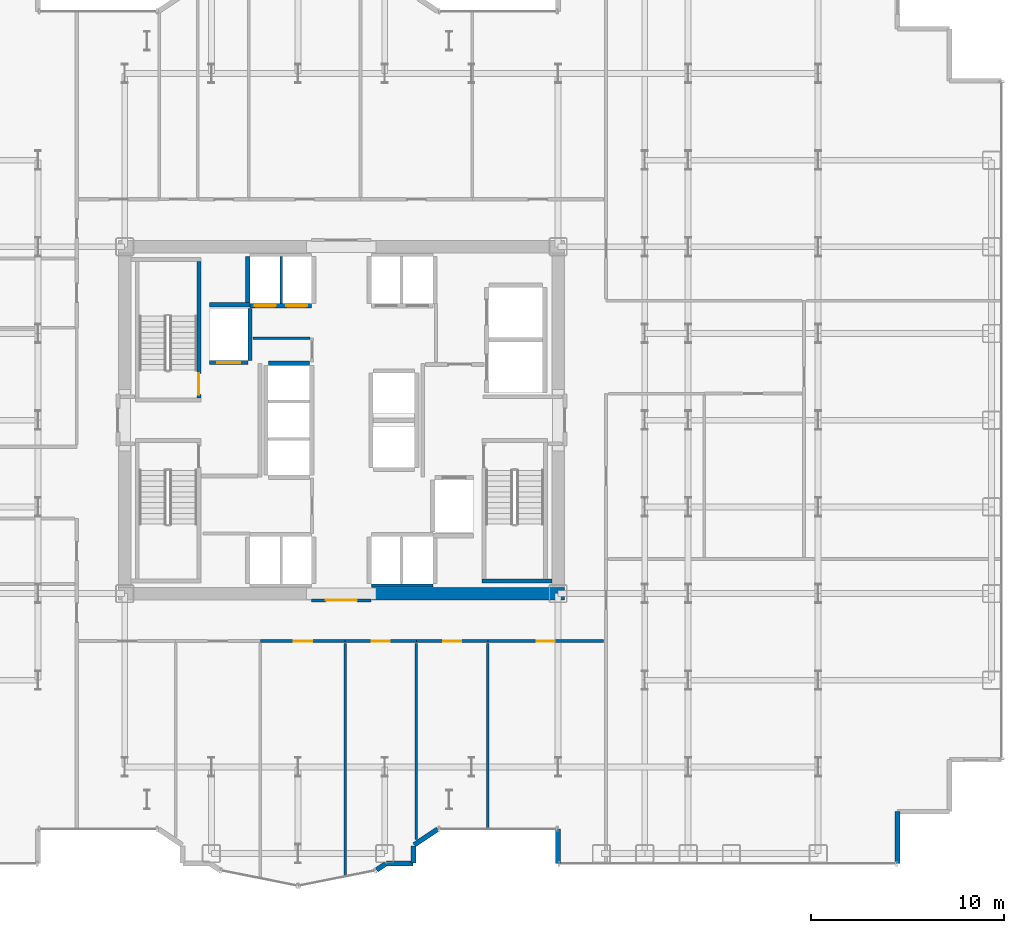
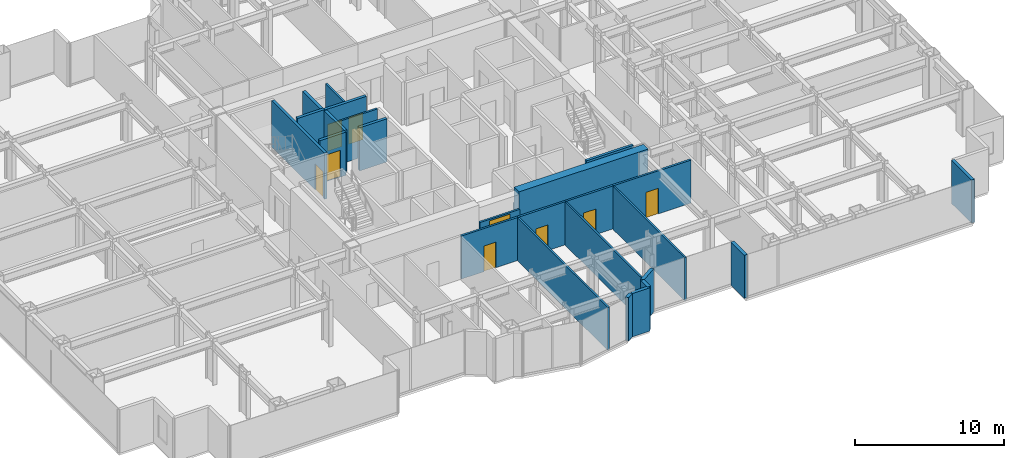
# One storey, part 21 of 25: 26 walls, 9 doors, 9 openings.
"""IFC4 building model written with IfcOpenShell, lengths in metres."""

from ifc_helpers import new_model, si_unit, direction, frame, frame_2d, origin, place, context, subcontext, project, spatial, rectangle, extrude, source, transform, mapped, material, layer, layer_set, type_object, element, fill, save


model = new_model("IFC4")

# Units and contexts
model_context = context("Model", 3, precision=1e-05, world=origin(), true_north=direction((0.0, 1.0)))
body_context = subcontext(model_context, "Body", "Model", "MODEL_VIEW")
ifc_project = project(units=[si_unit("LENGTHUNIT", "METRE"), si_unit("AREAUNIT", "SQUARE_METRE"), si_unit("VOLUMEUNIT", "CUBIC_METRE"), si_unit("PLANEANGLEUNIT", "RADIAN"), si_unit("MASSUNIT", "GRAM", prefix="KILO")], contexts=[model_context])

# Site, building, storey
site_placement = place(None, origin())
site = spatial("IfcSite", under=ifc_project, at=site_placement, CompositionType="ELEMENT")
building_placement = place(site_placement, origin())
building = spatial("IfcBuilding", under=site, at=building_placement, Name="Nefas-Gora Pilgrimage Tower", CompositionType="ELEMENT")
storey_placement = place(building_placement, frame((0.0, 0.0, 52.0)))
storey = spatial("IfcBuildingStorey", under=building, at=storey_placement, Name="L11", CompositionType="ELEMENT", Elevation=52.0)

# Walls
ifc_material_1 = material(Name="Concrete C60/75", Category="concrete")
ifc_layer_1 = layer(ifc_material_1, 0.64990234375)
ifc_layer_set_1 = layer_set([ifc_layer_1], Name="Concrete C60/75")
wall_type_1 = type_object("IfcWallType", Name="SW-CORE-650", PredefinedType="SHEAR", material=ifc_layer_set_1)
shared_shape_1 = source(origin(), body_context, "Body", "SweptSolid", [
    extrude(rectangle(XDim=10.02490234375, YDim=0.64990234375, at=frame_2d((5.012451171875, 0.0))), origin(), (0.0, 0.0, 1.0), 3.800048828125),
])
wall_1_placement = place(storey_placement, frame((1.550048828125, -9.0, 0.0), z_axis=(0.0, 0.0, 1.0), x_axis=(1.0, 0.0, 0.0)))
element("IfcWall", 1, at=wall_1_placement, inside=storey, type_object=wall_type_1, Name="L11 Core Shear Wall S-East", PredefinedType="SHEAR", context=body_context, shape_type="MappedRepresentation", body=[
    mapped(shared_shape_1, transform((0.0, 0.0, 0.0), x_axis=(1.0, 0.0, 0.0), y_axis=(0.0, 1.0, 0.0), z_axis=(0.0, 0.0, 1.0), scale=1.0)),
])
ifc_material_2 = material(Name="Precast concrete C40/50", Category="concrete")
ifc_layer_2 = layer(ifc_material_2, 0.260009765625)
ifc_layer_set_2 = layer_set([ifc_layer_2], Name="Precast concrete C40/50")
wall_type_2 = type_object("IfcWallType", Name="EW-PORTAL-260", PredefinedType="SOLIDWALL", material=ifc_layer_set_2)
shared_shape_2 = source(origin(), body_context, "Body", "SweptSolid", [
    extrude(rectangle(XDim=1.800048828125, YDim=0.260009765625, at=frame_2d((0.89990234375, 0.0))), origin(), (0.0, 0.0, 1.0), 3.550048828125),
])
wall_2_placement = place(storey_placement, frame((11.25, -21.219970703125, 0.0), z_axis=(0.0, 0.0, 1.0), x_axis=(0.0, -1.0, 0.0)))
element("IfcWall", 2, at=wall_2_placement, inside=storey, type_object=wall_type_2, Name="L11 Lobe Shoulder Precast Spandrel Pier 1", PredefinedType="SOLIDWALL", context=body_context, shape_type="MappedRepresentation", body=[
    mapped(shared_shape_2, transform((0.0, 0.0, 0.0), x_axis=(1.0, 0.0, 0.0), y_axis=(0.0, 1.0, 0.0), z_axis=(0.0, 0.0, 1.0), scale=1.0)),
])
ifc_material_3 = material(Name="Precast concrete C45/55", Category="concrete")
ifc_layer_3 = layer(ifc_material_3, 0.239990234375)
ifc_layer_set_3 = layer_set([ifc_layer_3], Name="Precast concrete C45/55")
wall_type_3 = type_object("IfcWallType", Name="EW-SERR-240", PredefinedType="SHEAR", material=ifc_layer_set_3)
shared_shape_3 = source(origin(), body_context, "Body", "SweptSolid", [
    extrude(rectangle(XDim=2.699951171875, YDim=0.239990234375, at=frame_2d((1.35009765625, 0.0))), origin(), (0.0, 0.0, 1.0), 3.550048828125),
])
wall_3_placement = place(storey_placement, frame((28.8701171875, -23.02001953125, 0.0), z_axis=(0.0, 0.0, 1.0), x_axis=(0.0, 1.0, 0.0)))
element("IfcWall", 3, at=wall_3_placement, inside=storey, type_object=wall_type_3, Name="L11 Serrated Corner Shear Pier Wall 2", PredefinedType="SHEAR", context=body_context, shape_type="MappedRepresentation", body=[
    mapped(shared_shape_3, transform((0.0, 0.0, 0.0), x_axis=(1.0, 0.0, 0.0), y_axis=(0.0, 1.0, 0.0), z_axis=(0.0, 0.0, 1.0), scale=1.0)),
])
shared_shape_4 = source(origin(), body_context, "Body", "SweptSolid", [
    extrude(rectangle(XDim=1.468994140625, YDim=0.260009765625, at=frame_2d((0.734375, 0.0))), origin(), (0.0, 0.0, 1.0), 3.550048828125),
])
wall_4_placement = place(storey_placement, frame((3.773193359375, -22.0517578125, 0.0), z_axis=(0.0, 0.0, 1.0), x_axis=(0.831461760506, 0.555581983884, 0.0)))
element("IfcWall", 4, at=wall_4_placement, inside=storey, type_object=wall_type_2, Name="L11 Lobe Shoulder Precast Spandrel Pier 36", PredefinedType="SOLIDWALL", context=body_context, shape_type="MappedRepresentation", body=[
    mapped(shared_shape_4, transform((0.0, 0.0, 0.0), x_axis=(1.0, 0.0, 0.0), y_axis=(0.0, 1.0, 0.0), z_axis=(0.0, 0.0, 1.0), scale=1.0)),
])
shared_shape_5 = source(origin(), body_context, "Body", "SweptSolid", [
    extrude(rectangle(XDim=0.896728515625, YDim=0.260009765625, at=frame_2d((0.4482421875, 0.0))), origin(), (0.0, 0.0, 1.0), 3.550048828125),
])
wall_5_placement = place(storey_placement, frame((3.75, -22.991943359375, 0.0), z_axis=(0.0, 0.0, 1.0), x_axis=(0.0, 1.0, 0.0)))
element("IfcWall", 5, at=wall_5_placement, inside=storey, type_object=wall_type_2, Name="L11 Lobe Shoulder Precast Spandrel Pier 35", PredefinedType="SOLIDWALL", context=body_context, shape_type="MappedRepresentation", body=[
    mapped(shared_shape_5, transform((0.0, 0.0, 0.0), x_axis=(1.0, 0.0, 0.0), y_axis=(0.0, 1.0, 0.0), z_axis=(0.0, 0.0, 1.0), scale=1.0)),
])
shared_shape_6 = source(origin(), body_context, "Body", "SweptSolid", [
    extrude(rectangle(XDim=1.369873046875, YDim=0.260009765625, at=frame_2d((0.68505859375, 0.0))), origin(), (0.0, 0.0, 1.0), 3.550048828125),
])
wall_6_placement = place(storey_placement, frame((2.35205078125, -23.02001953125, 0.0), z_axis=(0.0, 0.0, 1.0), x_axis=(1.0, 0.0, 0.0)))
element("IfcWall", 6, at=wall_6_placement, inside=storey, type_object=wall_type_2, Name="L11 Lobe Shoulder Precast Spandrel Pier 34", PredefinedType="SOLIDWALL", context=body_context, shape_type="MappedRepresentation", body=[
    mapped(shared_shape_6, transform((0.0, 0.0, 0.0), x_axis=(1.0, 0.0, 0.0), y_axis=(0.0, 1.0, 0.0), z_axis=(0.0, 0.0, 1.0), scale=1.0)),
])
shared_shape_7 = source(origin(), body_context, "Body", "SweptSolid", [
    extrude(rectangle(XDim=0.5654296875, YDim=0.260009765625, at=frame_2d((0.28271484375, 0.0))), origin(), (0.0, 0.0, 1.0), 3.550048828125),
])
wall_7_placement = place(storey_placement, frame((1.83056640625, -23.349609375, 0.0), z_axis=(0.0, 0.0, 1.0), x_axis=(0.831651492666, 0.555297933317, 0.0)))
element("IfcWall", 7, at=wall_7_placement, inside=storey, type_object=wall_type_2, Name="L11 Lobe Shoulder Precast Spandrel Pier 33", PredefinedType="SOLIDWALL", context=body_context, shape_type="MappedRepresentation", body=[
    mapped(shared_shape_7, transform((0.0, 0.0, 0.0), x_axis=(1.0, 0.0, 0.0), y_axis=(0.0, 1.0, 0.0), z_axis=(0.0, 0.0, 1.0), scale=1.0)),
])
ifc_material_4 = material(Name="Concrete C45/55", Category="concrete")
ifc_layer_4 = layer(ifc_material_4, 0.199951171875)
ifc_layer_set_4 = layer_set([ifc_layer_4], Name="Concrete C45/55")
wall_type_4 = type_object("IfcWallType", Name="IW-STAIR-200", PredefinedType="SOLIDWALL", material=ifc_layer_set_4)
shared_shape_8 = source(origin(), body_context, "Body", "SweptSolid", [
    extrude(rectangle(XDim=3.6298828125, YDim=0.199951171875, at=frame_2d((1.81494140625, 0.0))), origin(), (0.0, 0.0, 1.0), 3.800048828125),
])
wall_8_placement = place(storey_placement, frame((7.300048828125, -8.35009765625, 0.0), z_axis=(0.0, 0.0, 1.0), x_axis=(1.0, 0.0, 0.0)))
element("IfcWall", 8, at=wall_8_placement, inside=storey, type_object=wall_type_4, Name="L11 Stairwell Shear Wall ST-02-far", PredefinedType="SOLIDWALL", context=body_context, shape_type="MappedRepresentation", body=[
    mapped(shared_shape_8, transform((0.0, 0.0, 0.0), x_axis=(1.0, 0.0, 0.0), y_axis=(0.0, 1.0, 0.0), z_axis=(0.0, 0.0, 1.0), scale=1.0)),
])

# Wall, opening, door
shared_shape_9 = source(origin(), body_context, "Body", "SweptSolid", [
    extrude(rectangle(XDim=7.10009765625, YDim=0.199951171875, at=frame_2d((3.550048828125, 0.0))), origin(), (0.0, 0.0, 1.0), 3.800048828125),
])
wall_9_placement = place(storey_placement, frame((-7.39990234375, 1.14990234375, 0.0), z_axis=(0.0, 0.0, 1.0), x_axis=(0.0, 1.0, 0.0)))
wall_9 = element("IfcWall", 9, at=wall_9_placement, inside=storey, type_object=wall_type_4, Name="L11 Stairwell Shear Wall ST-01-left", PredefinedType="SOLIDWALL", context=body_context, shape_type="MappedRepresentation", body=[
    mapped(shared_shape_9, transform((0.0, 0.0, 0.0), x_axis=(1.0, 0.0, 0.0), y_axis=(0.0, 1.0, 0.0), z_axis=(0.0, 0.0, 1.0), scale=1.0)),
])
opening_1_placement = place(wall_9_placement, frame((0.179931640625, 0.0, 0.0)))
opening_1 = element("IfcOpeningElement", 10, at=opening_1_placement, cuts=wall_9, Name="Opening ID-ST1", PredefinedType="OPENING", context=body_context, shape_type="SweptSolid", body=[
    extrude(rectangle(XDim=1.10009765625, YDim=2.14990234375, at=frame_2d((0.550048828125, 1.074951171875))), frame((0.0, 0.10986328125, 0.0), z_axis=(0.0, -1.0, 0.0), x_axis=(1.0, 0.0, 0.0)), (0.0, 0.0, 1.0), 0.219970703125),
])
ifc_material_5 = material(Name="Painted galvanised steel fire stair door", Category="steel")
door_type_1 = type_object("IfcDoorType", Name="DR-INT-STAIR-1100", OperationType="NOTDEFINED", PredefinedType="DOOR", material=ifc_material_5)
shared_shape_10 = source(origin(), body_context, "Body", "SweptSolid", [
    extrude(rectangle(XDim=1.10009765625, YDim=2.14990234375, at=frame_2d((0.550048828125, 1.074951171875))), frame((0.0, 0.02490234375, 0.0), z_axis=(0.0, -1.0, 0.0), x_axis=(1.0, 0.0, 0.0)), (0.0, 0.0, 1.0), 0.050048828125),
])
door_1_placement = place(opening_1_placement, origin())
door_1 = element("IfcDoor", 11, at=door_1_placement, inside=storey, type_object=door_type_1, Name="L11 Protected Exit Stair Door ST-01", OperationType="SINGLE_SWING_LEFT", OverallHeight=2.14990234375, OverallWidth=1.10009765625, PredefinedType="DOOR", context=body_context, shape_type="MappedRepresentation", body=[
    mapped(shared_shape_10, transform((0.0, 0.0, 0.0), x_axis=(1.0, 0.0, 0.0), y_axis=(0.0, 1.0, 0.0), z_axis=(0.0, 0.0, 1.0), scale=1.0)),
])
fill(opening_1, door_1)

ifc_material_6 = material(Name="Concrete C40/50", Category="concrete")
ifc_layer_5 = layer(ifc_material_6, 0.219970703125)
ifc_layer_set_5 = layer_set([ifc_layer_5], Name="Concrete C40/50")
wall_type_5 = type_object("IfcWallType", Name="IW-SHAFT-220", PredefinedType="SOLIDWALL", material=ifc_layer_set_5)
shared_shape_11 = source(origin(), body_context, "Body", "SweptSolid", [
    extrude(rectangle(XDim=2.0, YDim=0.219970703125, at=frame_2d((1.0, 0.0))), origin(), (0.0, 0.0, 1.0), 3.534912109375),
])
wall_10_placement = place(storey_placement, frame((-6.85009765625, 2.989990234375, 0.0), z_axis=(0.0, 0.0, 1.0), x_axis=(1.0, 0.0, 0.0)))
wall_10 = element("IfcWall", 12, at=wall_10_placement, inside=storey, type_object=wall_type_5, Name="L11 Hoistway Wall FFL-01-S", PredefinedType="SOLIDWALL", context=body_context, shape_type="MappedRepresentation", body=[
    mapped(shared_shape_11, transform((0.0, 0.0, 0.0), x_axis=(1.0, 0.0, 0.0), y_axis=(0.0, 1.0, 0.0), z_axis=(0.0, 0.0, 1.0), scale=1.0)),
])
opening_2_placement = place(wall_10_placement, frame((0.39990234375, 0.0, 0.0)))
opening_2 = element("IfcOpeningElement", 13, at=opening_2_placement, cuts=wall_10, Name="Opening LD-FF", PredefinedType="OPENING", context=body_context, shape_type="SweptSolid", body=[
    extrude(rectangle(XDim=1.199951171875, YDim=2.199951171875, at=frame_2d((0.60009765625, 1.10009765625))), frame((0.0, 0.119873046875, 0.0), z_axis=(0.0, -1.0, 0.0), x_axis=(1.0, 0.0, 0.0)), (0.0, 0.0, 1.0), 0.239990234375),
])
ifc_material_7 = material(Name="Fire-service sliding lift landing door")
door_type_2 = type_object("IfcDoorType", Name="DR-LIFT-FSAE-1200", OperationType="SLIDING_TO_LEFT", PredefinedType="DOOR", material=ifc_material_7)
shared_shape_12 = source(origin(), body_context, "Body", "SweptSolid", [
    extrude(rectangle(XDim=1.199951171875, YDim=2.199951171875, at=frame_2d((0.60009765625, 1.10009765625))), frame((0.0, 0.02490234375, 0.0), z_axis=(0.0, -1.0, 0.0), x_axis=(1.0, 0.0, 0.0)), (0.0, 0.0, 1.0), 0.050048828125),
])
door_2_placement = place(opening_2_placement, origin())
door_2 = element("IfcDoor", 14, at=door_2_placement, inside=storey, type_object=door_type_2, Name="L11 Sliding Lift Landing Door FFL-01", OperationType="SLIDING_TO_LEFT", OverallHeight=2.199951171875, OverallWidth=1.199951171875, PredefinedType="DOOR", context=body_context, shape_type="MappedRepresentation", body=[
    mapped(shared_shape_12, transform((0.0, 0.0, 0.0), x_axis=(1.0, 0.0, 0.0), y_axis=(0.0, 1.0, 0.0), z_axis=(0.0, 0.0, 1.0), scale=1.0)),
])
fill(opening_2, door_2)

# Wall
shared_shape_13 = source(origin(), body_context, "Body", "SweptSolid", [
    extrude(rectangle(XDim=2.679931640625, YDim=0.219970703125, at=frame_2d((1.33984375, 0.0))), origin(), (0.0, 0.0, 1.0), 3.534912109375),
])
wall_11_placement = place(storey_placement, frame((-4.739990234375, 3.110107421875, 0.0), z_axis=(0.0, 0.0, 1.0), x_axis=(0.0, 1.0, 0.0)))
element("IfcWall", 15, at=wall_11_placement, inside=storey, type_object=wall_type_5, Name="L11 Hoistway Wall FFL-01-E", PredefinedType="SOLIDWALL", context=body_context, shape_type="MappedRepresentation", body=[
    mapped(shared_shape_13, transform((0.0, 0.0, 0.0), x_axis=(1.0, 0.0, 0.0), y_axis=(0.0, 1.0, 0.0), z_axis=(0.0, 0.0, 1.0), scale=1.0)),
])

# Wall, openings, doors
shared_shape_14 = source(origin(), body_context, "Body", "SweptSolid", [
    extrude(rectangle(XDim=3.199951171875, YDim=0.219970703125, at=frame_2d((1.60009765625, 0.0))), origin(), (0.0, 0.0, 1.0), 3.534912109375),
])
wall_12_placement = place(storey_placement, frame((-4.75, 5.93994140625, 0.0), z_axis=(0.0, 0.0, 1.0), x_axis=(1.0, 0.0, 0.0)))
wall_12 = element("IfcWall", 16, at=wall_12_placement, inside=storey, type_object=wall_type_5, Name="L11 Hoistway Wall PL1-W-S", PredefinedType="SOLIDWALL", context=body_context, shape_type="MappedRepresentation", body=[
    mapped(shared_shape_14, transform((0.0, 0.0, 0.0), x_axis=(1.0, 0.0, 0.0), y_axis=(0.0, 1.0, 0.0), z_axis=(0.0, 0.0, 1.0), scale=1.0)),
])
opening_3_placement = place(wall_12_placement, frame((0.25, 0.0, 0.0)))
opening_3 = element("IfcOpeningElement", 17, at=opening_3_placement, cuts=wall_12, Name="Opening LD-01", PredefinedType="OPENING", context=body_context, shape_type="SweptSolid", body=[
    extrude(rectangle(XDim=1.10009765625, YDim=2.199951171875, at=frame_2d((0.550048828125, 1.10009765625))), frame((0.0, 0.119873046875, 0.0), z_axis=(0.0, -1.0, 0.0), x_axis=(1.0, 0.0, 0.0)), (0.0, 0.0, 1.0), 0.239990234375),
])
opening_4_placement = place(wall_12_placement, frame((1.875, 0.0, 0.0)))
opening_4 = element("IfcOpeningElement", 18, at=opening_4_placement, cuts=wall_12, Name="Opening LD-01", PredefinedType="OPENING", context=body_context, shape_type="SweptSolid", body=[
    extrude(rectangle(XDim=1.10009765625, YDim=2.199951171875, at=frame_2d((0.550048828125, 1.10009765625))), frame((0.0, 0.119873046875, 0.0), z_axis=(0.0, -1.0, 0.0), x_axis=(1.0, 0.0, 0.0)), (0.0, 0.0, 1.0), 0.239990234375),
])
ifc_material_8 = material(Name="Brushed stainless sliding lift landing door")
door_type_3 = type_object("IfcDoorType", Name="DR-LIFT-PASS-1100", OperationType="DOUBLE_DOOR_SLIDING", PredefinedType="DOOR", material=ifc_material_8)
shared_shape_15 = source(origin(), body_context, "Body", "SweptSolid", [
    extrude(rectangle(XDim=1.10009765625, YDim=2.199951171875, at=frame_2d((0.550048828125, 1.10009765625))), frame((0.0, 0.02490234375, 0.0), z_axis=(0.0, -1.0, 0.0), x_axis=(1.0, 0.0, 0.0)), (0.0, 0.0, 1.0), 0.050048828125),
])
door_3_placement = place(opening_3_placement, origin())
door_3 = element("IfcDoor", 19, at=door_3_placement, inside=storey, type_object=door_type_3, Name="L11 Sliding Lift Landing Door PL1-01", OperationType="DOUBLE_DOOR_SLIDING", OverallHeight=2.199951171875, OverallWidth=1.10009765625, PredefinedType="DOOR", context=body_context, shape_type="MappedRepresentation", body=[
    mapped(shared_shape_15, transform((0.0, 0.0, 0.0), x_axis=(1.0, 0.0, 0.0), y_axis=(0.0, 1.0, 0.0), z_axis=(0.0, 0.0, 1.0), scale=1.0)),
])
fill(opening_3, door_3)
door_4_placement = place(opening_4_placement, origin())
door_4 = element("IfcDoor", 20, at=door_4_placement, inside=storey, type_object=door_type_3, Name="L11 Sliding Lift Landing Door PL1-02", OperationType="DOUBLE_DOOR_SLIDING", OverallHeight=2.199951171875, OverallWidth=1.10009765625, PredefinedType="DOOR", context=body_context, shape_type="MappedRepresentation", body=[
    mapped(shared_shape_15, transform((0.0, 0.0, 0.0), x_axis=(1.0, 0.0, 0.0), y_axis=(0.0, 1.0, 0.0), z_axis=(0.0, 0.0, 1.0), scale=1.0)),
])
fill(opening_4, door_4)

# Walls
ifc_material_9 = material(Name="Gypsum acoustic stud partition")
ifc_layer_6 = layer(ifc_material_9, 0.159912109375)
ifc_layer_set_6 = layer_set([ifc_layer_6], Name="Gypsum acoustic stud partition")
wall_type_6 = type_object("IfcWallType", Name="IW-CORR-160", PredefinedType="PARTITIONING", material=ifc_layer_set_6)
shared_shape_16 = source(origin(), body_context, "Body", "SweptSolid", [
    extrude(rectangle(XDim=3.199951171875, YDim=0.159912109375, at=frame_2d((1.60009765625, 0.0))), origin(), (0.0, 0.0, 1.0), 2.425048828125),
])
wall_13_placement = place(storey_placement, frame((1.550048828125, -8.580078125, 0.0), z_axis=(0.0, 0.0, 1.0), x_axis=(1.0, 0.0, 0.0)))
element("IfcWall", 21, at=wall_13_placement, inside=storey, type_object=wall_type_6, Name="L11 Hoistway Wall PL2-E-S", PredefinedType="PARTITIONING", context=body_context, shape_type="MappedRepresentation", body=[
    mapped(shared_shape_16, transform((0.0, 0.0, 0.0), x_axis=(1.0, 0.0, 0.0), y_axis=(0.0, 1.0, 0.0), z_axis=(0.0, 0.0, 1.0), scale=1.0)),
])
shared_shape_17 = source(origin(), body_context, "Body", "SweptSolid", [
    extrude(rectangle(XDim=2.429931640625, YDim=0.219970703125, at=frame_2d((1.21484375, 0.0))), origin(), (0.0, 0.0, 1.0), 3.534912109375),
])
wall_14_placement = place(storey_placement, frame((-4.860107421875, 8.489990234375, 0.0), z_axis=(0.0, 0.0, 1.0), x_axis=(0.0, -1.0, 0.0)))
element("IfcWall", 22, at=wall_14_placement, inside=storey, type_object=wall_type_5, Name="L11 Hoistway Wall PL1-W-W", PredefinedType="SOLIDWALL", context=body_context, shape_type="MappedRepresentation", body=[
    mapped(shared_shape_17, transform((0.0, 0.0, 0.0), x_axis=(1.0, 0.0, 0.0), y_axis=(0.0, 1.0, 0.0), z_axis=(0.0, 0.0, 1.0), scale=1.0)),
])
ifc_material_10 = material(Name="Gypsum twin-stud partition")
ifc_layer_7 = layer(ifc_material_10, 0.139892578125)
ifc_layer_set_7 = layer_set([ifc_layer_7], Name="Gypsum twin-stud partition")
wall_type_7 = type_object("IfcWallType", Name="IW-UNIT-140", PredefinedType="PARTITIONING", material=ifc_layer_set_7)
shared_shape_18 = source(origin(), body_context, "Body", "SweptSolid", [
    extrude(rectangle(XDim=2.429931640625, YDim=0.139892578125, at=frame_2d((1.21484375, 0.0))), origin(), (0.0, 0.0, 1.0), 3.534912109375),
])
wall_15_placement = place(storey_placement, frame((-3.125, 6.06005859375, 0.0), z_axis=(0.0, 0.0, 1.0), x_axis=(0.0, 1.0, 0.0)))
element("IfcWall", 23, at=wall_15_placement, inside=storey, type_object=wall_type_7, Name="L11 Hoistway Wall PL1-W-DIV", PredefinedType="PARTITIONING", context=body_context, shape_type="MappedRepresentation", body=[
    mapped(shared_shape_18, transform((0.0, 0.0, 0.0), x_axis=(1.0, 0.0, 0.0), y_axis=(0.0, 1.0, 0.0), z_axis=(0.0, 0.0, 1.0), scale=1.0)),
])
shared_shape_19 = source(origin(), body_context, "Body", "SweptSolid", [
    extrude(rectangle(XDim=2.130126953125, YDim=0.219970703125, at=frame_2d((1.06494140625, 0.0))), origin(), (0.0, 0.0, 1.0), 3.534912109375),
])
wall_16_placement = place(storey_placement, frame((-1.659912109375, 2.9599609375, 0.0), z_axis=(0.0, 0.0, 1.0), x_axis=(-1.0, 0.0, 0.0)))
element("IfcWall", 24, at=wall_16_placement, inside=storey, type_object=wall_type_5, Name="L11 Hoistway Wall PL3-03-N", PredefinedType="SOLIDWALL", context=body_context, shape_type="MappedRepresentation", body=[
    mapped(shared_shape_19, transform((0.0, 0.0, 0.0), x_axis=(1.0, 0.0, 0.0), y_axis=(0.0, 1.0, 0.0), z_axis=(0.0, 0.0, 1.0), scale=1.0)),
])
shared_shape_20 = source(origin(), body_context, "Body", "SweptSolid", [
    extrude(rectangle(XDim=2.09521484375, YDim=0.219970703125, at=frame_2d((1.047607421875, 0.0))), origin(), (0.0, 0.0, 1.0), 3.534912109375),
])
wall_17_placement = place(storey_placement, frame((-6.85009765625, 6.0, 0.0), z_axis=(0.0, 0.0, 1.0), x_axis=(1.0, 0.0, 0.0)))
element("IfcWall", 25, at=wall_17_placement, inside=storey, type_object=wall_type_5, Name="L11 Riser Shaft Wall 1", PredefinedType="SOLIDWALL", context=body_context, shape_type="MappedRepresentation", body=[
    mapped(shared_shape_20, transform((0.0, 0.0, 0.0), x_axis=(1.0, 0.0, 0.0), y_axis=(0.0, 1.0, 0.0), z_axis=(0.0, 0.0, 1.0), scale=1.0)),
])

# Wall, opening, door
shared_shape_21 = source(origin(), body_context, "Body", "SweptSolid", [
    extrude(rectangle(XDim=3.08984375, YDim=0.159912109375, at=frame_2d((1.544921875, 0.0))), origin(), (0.0, 0.0, 1.0), 2.425048828125),
])
wall_18_placement = place(storey_placement, frame((-1.544921875, -9.35009765625, 0.0), z_axis=(0.0, 0.0, 1.0), x_axis=(1.0, 0.0, 0.0)))
wall_18 = element("IfcWall", 26, at=wall_18_placement, inside=storey, type_object=wall_type_6, Name="L11 Central Lift Lobby South Portal Wall 14", PredefinedType="PARTITIONING", context=body_context, shape_type="MappedRepresentation", body=[
    mapped(shared_shape_21, transform((0.0, 0.0, 0.0), x_axis=(1.0, 0.0, 0.0), y_axis=(0.0, 1.0, 0.0), z_axis=(0.0, 0.0, 1.0), scale=1.0)),
])
opening_5_placement = place(wall_18_placement, frame((0.7451171875, 0.0, 0.0)))
opening_5 = element("IfcOpeningElement", 27, at=opening_5_placement, cuts=wall_18, Name="Opening ID-HL1", PredefinedType="OPENING", context=body_context, shape_type="SweptSolid", body=[
    extrude(rectangle(XDim=1.60009765625, YDim=2.300048828125, at=frame_2d((0.800048828125, 1.14990234375))), frame((0.0, 0.08984375, 0.0), z_axis=(0.0, -1.0, 0.0), x_axis=(1.0, 0.0, 0.0)), (0.0, 0.0, 1.0), 0.179931640625),
])
ifc_material_11 = material(Name="Double acoustic timber assembly hall door", Category="wood")
door_type_4 = type_object("IfcDoorType", Name="DR-INT-HALL-1600", OperationType="DOUBLE_DOOR_SINGLE_SWING", PredefinedType="DOOR", material=ifc_material_11)
shared_shape_22 = source(origin(), body_context, "Body", "SweptSolid", [
    extrude(rectangle(XDim=1.60009765625, YDim=2.300048828125, at=frame_2d((0.800048828125, 1.14990234375))), frame((0.0, 0.02490234375, 0.0), z_axis=(0.0, -1.0, 0.0), x_axis=(1.0, 0.0, 0.0)), (0.0, 0.0, 1.0), 0.050048828125),
])
door_5_placement = place(opening_5_placement, origin())
door_5 = element("IfcDoor", 28, at=door_5_placement, inside=storey, type_object=door_type_4, Name="L11 Central Lift Lobby South Portal Door 5", OperationType="DOUBLE_DOOR_SINGLE_SWING", OverallHeight=2.300048828125, OverallWidth=1.60009765625, PredefinedType="DOOR", context=body_context, shape_type="MappedRepresentation", body=[
    mapped(shared_shape_22, transform((0.0, 0.0, 0.0), x_axis=(1.0, 0.0, 0.0), y_axis=(0.0, 1.0, 0.0), z_axis=(0.0, 0.0, 1.0), scale=1.0)),
])
fill(opening_5, door_5)

# Wall
shared_shape_23 = source(origin(), body_context, "Body", "SweptSolid", [
    extrude(rectangle(XDim=2.9501953125, YDim=0.139892578125, at=frame_2d((1.47509765625, 0.0))), origin(), (0.0, 0.0, 1.0), 3.534912109375),
])
wall_19_placement = place(storey_placement, frame((-4.590087890625, 4.25, 0.0), z_axis=(0.0, 0.0, 1.0), x_axis=(1.0, 0.0, 0.0)))
element("IfcWall", 29, at=wall_19_placement, inside=storey, type_object=wall_type_7, Name="L11 Housekeeping and Linen Store Partition Wall 17", PredefinedType="PARTITIONING", context=body_context, shape_type="MappedRepresentation", body=[
    mapped(shared_shape_23, transform((0.0, 0.0, 0.0), x_axis=(1.0, 0.0, 0.0), y_axis=(0.0, 1.0, 0.0), z_axis=(0.0, 0.0, 1.0), scale=1.0)),
])

# Wall, opening, door
shared_shape_24 = source(origin(), body_context, "Body", "SweptSolid", [
    extrude(rectangle(XDim=3.704833984375, YDim=0.159912109375, at=frame_2d((1.8525390625, 0.0))), origin(), (0.0, 0.0, 1.0), 3.534912109375),
])
wall_20_placement = place(storey_placement, frame((0.195068359375, -11.469970703125, 0.0), z_axis=(0.0, 0.0, 1.0), x_axis=(1.0, 0.0, 0.0)))
wall_20 = element("IfcWall", 30, at=wall_20_placement, inside=storey, type_object=wall_type_6, Name="L11 Pilgrim Contemplative Lounge Partition Wall 58", PredefinedType="PARTITIONING", context=body_context, shape_type="MappedRepresentation", body=[
    mapped(shared_shape_24, transform((0.0, 0.0, 0.0), x_axis=(1.0, 0.0, 0.0), y_axis=(0.0, 1.0, 0.0), z_axis=(0.0, 0.0, 1.0), scale=1.0)),
])
opening_6_placement = place(wall_20_placement, frame((1.37744140625, 0.0, 0.0)))
opening_6 = element("IfcOpeningElement", 31, at=opening_6_placement, cuts=wall_20, Name="Opening ID-GR1", PredefinedType="OPENING", context=body_context, shape_type="SweptSolid", body=[
    extrude(rectangle(XDim=0.949951171875, YDim=2.10009765625, at=frame_2d((0.47509765625, 1.050048828125))), frame((0.0, 0.08984375, 0.0), z_axis=(0.0, -1.0, 0.0), x_axis=(1.0, 0.0, 0.0)), (0.0, 0.0, 1.0), 0.179931640625),
])
ifc_material_12 = material(Name="Solid core oak fire-rated guest entrance door")
door_type_5 = type_object("IfcDoorType", Name="DR-INT-GUEST-950", OperationType="NOTDEFINED", PredefinedType="DOOR", material=ifc_material_12)
shared_shape_25 = source(origin(), body_context, "Body", "SweptSolid", [
    extrude(rectangle(XDim=0.949951171875, YDim=2.10009765625, at=frame_2d((0.47509765625, 1.050048828125))), frame((0.0, 0.02490234375, 0.0), z_axis=(0.0, -1.0, 0.0), x_axis=(1.0, 0.0, 0.0)), (0.0, 0.0, 1.0), 0.050048828125),
])
door_6_placement = place(opening_6_placement, origin())
door_6 = element("IfcDoor", 32, at=door_6_placement, inside=storey, type_object=door_type_5, Name="L11 Pilgrim Contemplative Lounge Door 28", OperationType="SINGLE_SWING_LEFT", OverallHeight=2.10009765625, OverallWidth=0.949951171875, PredefinedType="DOOR", context=body_context, shape_type="MappedRepresentation", body=[
    mapped(shared_shape_25, transform((0.0, 0.0, 0.0), x_axis=(1.0, 0.0, 0.0), y_axis=(0.0, 1.0, 0.0), z_axis=(0.0, 0.0, 1.0), scale=1.0)),
])
fill(opening_6, door_6)

shared_shape_26 = source(origin(), body_context, "Body", "SweptSolid", [
    extrude(rectangle(XDim=3.705078125, YDim=0.159912109375, at=frame_2d((1.8525390625, 0.0))), origin(), (0.0, 0.0, 1.0), 3.534912109375),
])
wall_21_placement = place(storey_placement, frame((3.89990234375, -11.469970703125, 0.0), z_axis=(0.0, 0.0, 1.0), x_axis=(1.0, 0.0, 0.0)))
wall_21 = element("IfcWall", 33, at=wall_21_placement, inside=storey, type_object=wall_type_6, Name="L11 Pilgrim Contemplative Lounge Partition Wall 60", PredefinedType="PARTITIONING", context=body_context, shape_type="MappedRepresentation", body=[
    mapped(shared_shape_26, transform((0.0, 0.0, 0.0), x_axis=(1.0, 0.0, 0.0), y_axis=(0.0, 1.0, 0.0), z_axis=(0.0, 0.0, 1.0), scale=1.0)),
])
opening_7_placement = place(wall_21_placement, frame((1.37744140625, 0.0, 0.0)))
opening_7 = element("IfcOpeningElement", 34, at=opening_7_placement, cuts=wall_21, Name="Opening ID-GR1", PredefinedType="OPENING", context=body_context, shape_type="SweptSolid", body=[
    extrude(rectangle(XDim=0.949951171875, YDim=2.10009765625, at=frame_2d((0.47509765625, 1.050048828125))), frame((0.0, 0.08984375, 0.0), z_axis=(0.0, -1.0, 0.0), x_axis=(1.0, 0.0, 0.0)), (0.0, 0.0, 1.0), 0.179931640625),
])
door_7_placement = place(opening_7_placement, origin())
door_7 = element("IfcDoor", 35, at=door_7_placement, inside=storey, type_object=door_type_5, Name="L11 Pilgrim Contemplative Lounge Door 29", OperationType="SINGLE_SWING_RIGHT", OverallHeight=2.10009765625, OverallWidth=0.949951171875, PredefinedType="DOOR", context=body_context, shape_type="MappedRepresentation", body=[
    mapped(shared_shape_25, transform((0.0, 0.0, 0.0), x_axis=(1.0, 0.0, 0.0), y_axis=(0.0, 1.0, 0.0), z_axis=(0.0, 0.0, 1.0), scale=1.0)),
])
fill(opening_7, door_7)

# Wall
shared_shape_27 = source(origin(), body_context, "Body", "SweptSolid", [
    extrude(rectangle(XDim=9.64990234375, YDim=0.139892578125, at=frame_2d((4.824951171875, 0.0))), origin(), (0.0, 0.0, 1.0), 3.534912109375),
])
wall_22_placement = place(storey_placement, frame((7.594970703125, -21.239990234375, 0.0), z_axis=(0.0, 0.0, 1.0), x_axis=(0.0, 1.0, 0.0)))
element("IfcWall", 36, at=wall_22_placement, inside=storey, type_object=wall_type_7, Name="L11 Pilgrim Contemplative Lounge Partition Wall 61", PredefinedType="PARTITIONING", context=body_context, shape_type="MappedRepresentation", body=[
    mapped(shared_shape_27, transform((0.0, 0.0, 0.0), x_axis=(1.0, 0.0, 0.0), y_axis=(0.0, 1.0, 0.0), z_axis=(0.0, 0.0, 1.0), scale=1.0)),
])

# Wall, opening, door
shared_shape_28 = source(origin(), body_context, "Body", "SweptSolid", [
    extrude(rectangle(XDim=4.405029296875, YDim=0.159912109375, at=frame_2d((2.20263671875, 0.0))), origin(), (0.0, 0.0, 1.0), 3.534912109375),
])
wall_23_placement = place(storey_placement, frame((-4.199951171875, -11.469970703125, 0.0), z_axis=(0.0, 0.0, 1.0), x_axis=(1.0, 0.0, 0.0)))
wall_23 = element("IfcWall", 37, at=wall_23_placement, inside=storey, type_object=wall_type_6, Name="L11 Pilgrim Contemplative Lounge Partition Wall 56", PredefinedType="PARTITIONING", context=body_context, shape_type="MappedRepresentation", body=[
    mapped(shared_shape_28, transform((0.0, 0.0, 0.0), x_axis=(1.0, 0.0, 0.0), y_axis=(0.0, 1.0, 0.0), z_axis=(0.0, 0.0, 1.0), scale=1.0)),
])
opening_8_placement = place(wall_23_placement, frame((1.7275390625, 0.0, 0.0)))
opening_8 = element("IfcOpeningElement", 38, at=opening_8_placement, cuts=wall_23, Name="Opening ID-GR1", PredefinedType="OPENING", context=body_context, shape_type="SweptSolid", body=[
    extrude(rectangle(XDim=0.949951171875, YDim=2.10009765625, at=frame_2d((0.47509765625, 1.050048828125))), frame((0.0, 0.08984375, 0.0), z_axis=(0.0, -1.0, 0.0), x_axis=(1.0, 0.0, 0.0)), (0.0, 0.0, 1.0), 0.179931640625),
])
door_8_placement = place(opening_8_placement, origin())
door_8 = element("IfcDoor", 39, at=door_8_placement, inside=storey, type_object=door_type_5, Name="L11 Pilgrim Contemplative Lounge Door 27", OperationType="SINGLE_SWING_RIGHT", OverallHeight=2.10009765625, OverallWidth=0.949951171875, PredefinedType="DOOR", context=body_context, shape_type="MappedRepresentation", body=[
    mapped(shared_shape_25, transform((0.0, 0.0, 0.0), x_axis=(1.0, 0.0, 0.0), y_axis=(0.0, 1.0, 0.0), z_axis=(0.0, 0.0, 1.0), scale=1.0)),
])
fill(opening_8, door_8)

# Walls
shared_shape_29 = source(origin(), body_context, "Body", "SweptSolid", [
    extrude(rectangle(XDim=12.1162109375, YDim=0.139892578125, at=frame_2d((6.05810546875, 0.0))), origin(), (0.0, 0.0, 1.0), 3.534912109375),
])
wall_24_placement = place(storey_placement, frame((0.195068359375, -23.706298828125, 0.0), z_axis=(0.0, 0.0, 1.0), x_axis=(0.0, 1.0, 0.0)))
element("IfcWall", 40, at=wall_24_placement, inside=storey, type_object=wall_type_7, Name="L11 Pilgrim Contemplative Lounge Partition Wall 57", PredefinedType="PARTITIONING", context=body_context, shape_type="MappedRepresentation", body=[
    mapped(shared_shape_29, transform((0.0, 0.0, 0.0), x_axis=(1.0, 0.0, 0.0), y_axis=(0.0, 1.0, 0.0), z_axis=(0.0, 0.0, 1.0), scale=1.0)),
])
shared_shape_30 = source(origin(), body_context, "Body", "SweptSolid", [
    extrude(rectangle(XDim=10.181640625, YDim=0.139892578125, at=frame_2d((5.0908203125, 0.0))), origin(), (0.0, 0.0, 1.0), 3.534912109375),
])
wall_25_placement = place(storey_placement, frame((3.889892578125, -21.771728515625, 0.0), z_axis=(0.0, 0.0, 1.0), x_axis=(0.0, 1.0, 0.0)))
element("IfcWall", 41, at=wall_25_placement, inside=storey, type_object=wall_type_7, Name="L11 Pilgrim Contemplative Lounge Partition Wall 59", PredefinedType="PARTITIONING", context=body_context, shape_type="MappedRepresentation", body=[
    mapped(shared_shape_30, transform((0.0, 0.0, 0.0), x_axis=(1.0, 0.0, 0.0), y_axis=(0.0, 1.0, 0.0), z_axis=(0.0, 0.0, 1.0), scale=1.0)),
])

# Wall, opening, door
shared_shape_31 = source(origin(), body_context, "Body", "SweptSolid", [
    extrude(rectangle(XDim=6.025146484375, YDim=0.159912109375, at=frame_2d((3.0126953125, 0.0))), origin(), (0.0, 0.0, 1.0), 3.534912109375),
])
wall_26_placement = place(storey_placement, frame((7.594970703125, -11.469970703125, 0.0), z_axis=(0.0, 0.0, 1.0), x_axis=(1.0, 0.0, 0.0)))
wall_26 = element("IfcWall", 42, at=wall_26_placement, inside=storey, type_object=wall_type_6, Name="L11 Pilgrim Contemplative Lounge Partition Wall 62", PredefinedType="PARTITIONING", context=body_context, shape_type="MappedRepresentation", body=[
    mapped(shared_shape_31, transform((0.0, 0.0, 0.0), x_axis=(1.0, 0.0, 0.0), y_axis=(0.0, 1.0, 0.0), z_axis=(0.0, 0.0, 1.0), scale=1.0)),
])
opening_9_placement = place(wall_26_placement, frame((2.53759765625, 0.0, 0.0)))
opening_9 = element("IfcOpeningElement", 43, at=opening_9_placement, cuts=wall_26, Name="Opening ID-GR1", PredefinedType="OPENING", context=body_context, shape_type="SweptSolid", body=[
    extrude(rectangle(XDim=0.949951171875, YDim=2.10009765625, at=frame_2d((0.47509765625, 1.050048828125))), frame((0.0, 0.08984375, 0.0), z_axis=(0.0, -1.0, 0.0), x_axis=(1.0, 0.0, 0.0)), (0.0, 0.0, 1.0), 0.179931640625),
])
door_9_placement = place(opening_9_placement, origin())
door_9 = element("IfcDoor", 44, at=door_9_placement, inside=storey, type_object=door_type_5, Name="L11 Pilgrim Contemplative Lounge Door 30", OperationType="SINGLE_SWING_LEFT", OverallHeight=2.10009765625, OverallWidth=0.949951171875, PredefinedType="DOOR", context=body_context, shape_type="MappedRepresentation", body=[
    mapped(shared_shape_25, transform((0.0, 0.0, 0.0), x_axis=(1.0, 0.0, 0.0), y_axis=(0.0, 1.0, 0.0), z_axis=(0.0, 0.0, 1.0), scale=1.0)),
])
fill(opening_9, door_9)

save(model, "model.ifc")
